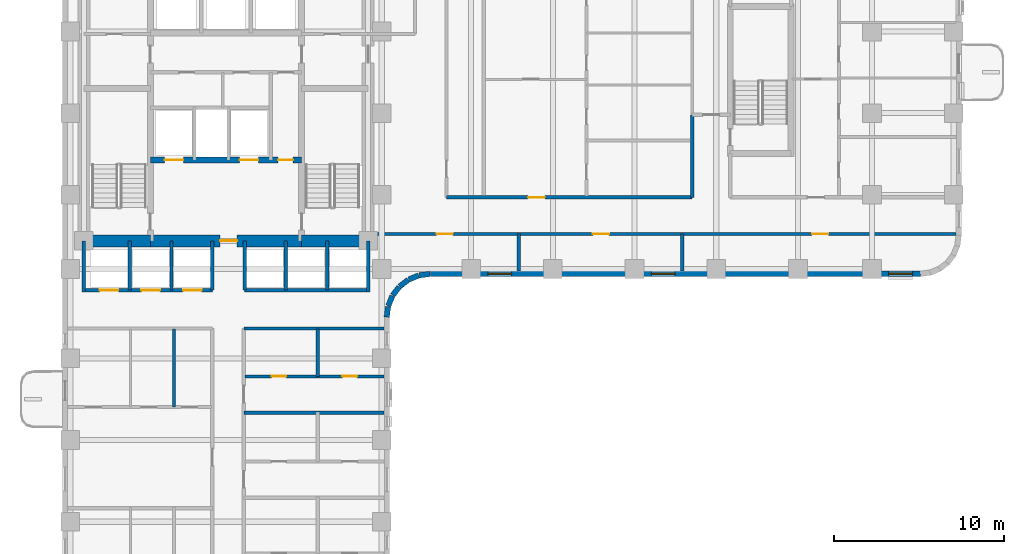
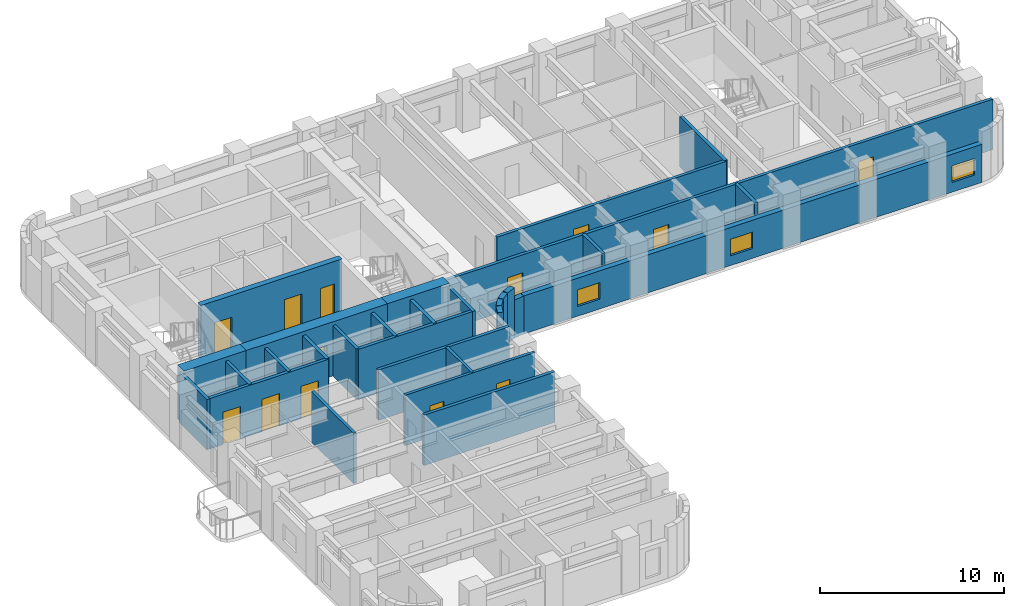
# One storey, part 4 of 11: 31 walls, 13 doors, 3 windows, 16 openings.
"""IFC4 building model written with IfcOpenShell, lengths in metres."""

from ifc_helpers import new_model, si_unit, direction, frame, frame_2d, origin, place, context, subcontext, project, spatial, rectangle, extrude, material, layer, layer_set, type_object, element, fill, save


model = new_model("IFC4")

# Units and contexts
model_context = context("Model", 3, precision=1e-05, world=origin(), true_north=direction((0.0, 1.0)))
body_context = subcontext(model_context, "Body", "Model", "MODEL_VIEW")
ifc_project = project(units=[si_unit("LENGTHUNIT", "METRE"), si_unit("AREAUNIT", "SQUARE_METRE"), si_unit("VOLUMEUNIT", "CUBIC_METRE"), si_unit("PLANEANGLEUNIT", "RADIAN"), si_unit("MASSUNIT", "GRAM", prefix="KILO")], contexts=[model_context])

# Site, building, storey
site_placement = place(None, origin())
site = spatial("IfcSite", under=ifc_project, at=site_placement, CompositionType="ELEMENT")
building_placement = place(site_placement, origin())
building = spatial("IfcBuilding", under=site, at=building_placement, Name="Orvandelia Arch Residences", CompositionType="ELEMENT")
storey_placement = place(building_placement, frame((0.0, 0.0, 64.60009765625)))
storey = spatial("IfcBuildingStorey", under=building, at=storey_placement, Name="L16", CompositionType="ELEMENT", Elevation=64.60009765625)

# Wall, openings, doors
ifc_material_1 = material(Name="Concrete C50/60", Category="concrete")
ifc_layer_1 = layer(ifc_material_1, 0.35009765625, Name="Concrete C50/60", Category="concrete")
ifc_layer_set_1 = layer_set([ifc_layer_1], Name="Concrete C50/60")
wall_type_1 = type_object("IfcWallType", Name="WL-CORE-350", PredefinedType="SHEAR", material=ifc_layer_set_1)
wall_1_placement = place(storey_placement, frame((9.9599609375, 35.64990234375, 0.0), z_axis=(0.0, 0.0, 1.0), x_axis=(1.0, 0.0, 0.0)))
wall_1 = element("IfcWall", 1, at=wall_1_placement, inside=storey, type_object=wall_type_1, Name="Core Shear Wall L16-HZ3", PredefinedType="SHEAR", context=body_context, shape_type="SweptSolid", body=[
    extrude(rectangle(XDim=8.880126953125, YDim=0.35009765625, at=frame_2d((4.43994140625, 0.0))), origin(), (0.0, 0.0, 1.0), 3.599853515625),
])
opening_1_placement = place(wall_1_placement, frame((0.840087890625, 0.0, 0.0)))
opening_1 = element("IfcOpeningElement", 2, at=opening_1_placement, cuts=wall_1, Name="Opening FLD", PredefinedType="OPENING", context=body_context, shape_type="SweptSolid", body=[
    extrude(rectangle(XDim=1.10009765625, YDim=2.14990234375, at=frame_2d((0.550048828125, 1.074951171875))), frame((0.0, 0.18505859375, 0.0), z_axis=(0.0, -1.0, 0.0), x_axis=(1.0, 0.0, 0.0)), (0.0, 0.0, 1.0), 0.3701171875),
])
opening_2_placement = place(wall_1_placement, frame((5.239990234375, 0.0, 0.0)))
opening_2 = element("IfcOpeningElement", 3, at=opening_2_placement, cuts=wall_1, Name="Opening FLD", PredefinedType="OPENING", context=body_context, shape_type="SweptSolid", body=[
    extrude(rectangle(XDim=1.10009765625, YDim=2.14990234375, at=frame_2d((0.550048828125, 1.074951171875))), frame((0.0, 0.18505859375, 0.0), z_axis=(0.0, -1.0, 0.0), x_axis=(1.0, 0.0, 0.0)), (0.0, 0.0, 1.0), 0.3701171875),
])
opening_3_placement = place(wall_1_placement, frame((7.5, 0.0, 0.0)))
opening_3 = element("IfcOpeningElement", 4, at=opening_3_placement, cuts=wall_1, Name="Opening D5", PredefinedType="OPENING", context=body_context, shape_type="SweptSolid", body=[
    extrude(rectangle(XDim=0.8798828125, YDim=2.10009765625, at=frame_2d((0.43994140625, 1.050048828125))), frame((0.0, 0.18505859375, 0.0), z_axis=(0.0, -1.0, 0.0), x_axis=(1.0, 0.0, 0.0)), (0.0, 0.0, 1.0), 0.3701171875),
])
ifc_material_2 = material(Name="Firefighting Lift Stainless Sliding Door")
door_type_1 = type_object("IfcDoorType", Name="DR-FLFT-1100", OperationType="NOTDEFINED", PredefinedType="DOOR", material=ifc_material_2)
door_1_placement = place(opening_1_placement, origin())
door_1 = element("IfcDoor", 5, at=door_1_placement, inside=storey, type_object=door_type_1, Name="Firefighting Lift Landing Door FLD-FL1-L16", OperationType="SLIDING_TO_LEFT", OverallHeight=2.14990234375, OverallWidth=1.10009765625, PredefinedType="DOOR", context=body_context, shape_type="SweptSolid", body=[
    extrude(rectangle(XDim=1.10009765625, YDim=2.14990234375, at=frame_2d((0.550048828125, 1.074951171875))), frame((0.0, 0.02490234375, 0.0), z_axis=(0.0, -1.0, 0.0), x_axis=(1.0, 0.0, 0.0)), (0.0, 0.0, 1.0), 0.050048828125),
])
fill(opening_1, door_1)
door_2_placement = place(opening_2_placement, origin())
door_2 = element("IfcDoor", 6, at=door_2_placement, inside=storey, type_object=door_type_1, Name="Firefighting Lift Landing Door FLD-FL2-L16", OperationType="SLIDING_TO_RIGHT", OverallHeight=2.14990234375, OverallWidth=1.10009765625, PredefinedType="DOOR", context=body_context, shape_type="SweptSolid", body=[
    extrude(rectangle(XDim=1.10009765625, YDim=2.14990234375, at=frame_2d((0.550048828125, 1.074951171875))), frame((0.0, 0.02490234375, 0.0), z_axis=(0.0, -1.0, 0.0), x_axis=(1.0, 0.0, 0.0)), (0.0, 0.0, 1.0), 0.050048828125),
])
fill(opening_2, door_2)
ifc_material_3 = material(Name="Painted Galvanised Steel Service Door", Category="steel")
door_type_2 = type_object("IfcDoorType", Name="DR-SRV-880", OperationType="NOTDEFINED", PredefinedType="DOOR", material=ifc_material_3)
door_3_placement = place(opening_3_placement, origin())
door_3 = element("IfcDoor", 7, at=door_3_placement, inside=storey, type_object=door_type_2, Name="Core Stairway Passage South Fire Door L16", OperationType="SINGLE_SWING_LEFT", OverallHeight=2.10009765625, OverallWidth=0.8798828125, PredefinedType="DOOR", context=body_context, shape_type="SweptSolid", body=[
    extrude(rectangle(XDim=0.8798828125, YDim=2.10009765625, at=frame_2d((0.43994140625, 1.050048828125))), frame((0.0, 0.02490234375, 0.0), z_axis=(0.0, -1.0, 0.0), x_axis=(1.0, 0.0, 0.0)), (0.0, 0.0, 1.0), 0.050048828125),
])
fill(opening_3, door_3)

# Wall
ifc_material_4 = material(Name="Concrete C80/95", Category="concrete")
ifc_layer_2 = layer(ifc_material_4, 0.699951171875, Name="Concrete C80/95", Category="concrete")
ifc_layer_set_2 = layer_set([ifc_layer_2], Name="Concrete C80/95")
wall_type_2 = type_object("IfcWallType", Name="WL-CORE-700", PredefinedType="SHEAR", material=ifc_layer_set_2)
wall_2_placement = place(storey_placement, frame((6.050048828125, 30.89990234375, 0.0), z_axis=(0.0, 0.0, 1.0), x_axis=(1.0, 0.0, 0.0)))
element("IfcWall", 8, at=wall_2_placement, inside=storey, type_object=wall_type_2, Name="Core Shear Wall L16-SW", PredefinedType="SHEAR", context=body_context, shape_type="SweptSolid", body=[
    extrude(rectangle(XDim=3.909912109375, YDim=0.699951171875, at=frame_2d((1.955078125, 0.0))), origin(), (0.0, 0.0, 1.0), 3.599853515625),
])

# Wall, opening, door
wall_3_placement = place(storey_placement, frame((9.9599609375, 30.89990234375, 0.0), z_axis=(0.0, 0.0, 1.0), x_axis=(1.0, 0.0, 0.0)))
wall_3 = element("IfcWall", 9, at=wall_3_placement, inside=storey, type_object=wall_type_2, Name="Core Shear Wall L16-SM", PredefinedType="SHEAR", context=body_context, shape_type="SweptSolid", body=[
    extrude(rectangle(XDim=8.880126953125, YDim=0.699951171875, at=frame_2d((4.43994140625, 0.0))), origin(), (0.0, 0.0, 1.0), 3.599853515625),
])
opening_4_placement = place(wall_3_placement, frame((4.090087890625, 0.0, 0.0)))
opening_4 = element("IfcOpeningElement", 10, at=opening_4_placement, cuts=wall_3, Name="Opening D6", PredefinedType="OPENING", context=body_context, shape_type="SweptSolid", body=[
    extrude(rectangle(XDim=1.0, YDim=2.14990234375, at=frame_2d((0.5, 1.074951171875))), frame((0.0, 0.35986328125, 0.0), z_axis=(0.0, -1.0, 0.0), x_axis=(1.0, 0.0, 0.0)), (0.0, 0.0, 1.0), 0.719970703125),
])
ifc_material_5 = material(Name="Smokeproof Painted Steel Fire Door", Category="steel")
door_type_3 = type_object("IfcDoorType", Name="DR-FD60-1000", OperationType="NOTDEFINED", PredefinedType="DOOR", material=ifc_material_5)
door_4_placement = place(opening_4_placement, origin())
door_4 = element("IfcDoor", 11, at=door_4_placement, inside=storey, type_object=door_type_3, Name="Firefighting Lobby Smokeproof Door L16", OperationType="SINGLE_SWING_LEFT", OverallHeight=2.14990234375, OverallWidth=1.0, PredefinedType="DOOR", context=body_context, shape_type="SweptSolid", body=[
    extrude(rectangle(XDim=1.0, YDim=2.14990234375, at=frame_2d((0.5, 1.074951171875))), frame((0.0, 0.02490234375, 0.0), z_axis=(0.0, -1.0, 0.0), x_axis=(1.0, 0.0, 0.0)), (0.0, 0.0, 1.0), 0.050048828125),
])
fill(opening_4, door_4)

# Walls
wall_4_placement = place(storey_placement, frame((18.840087890625, 30.89990234375, 0.0), z_axis=(0.0, 0.0, 1.0), x_axis=(1.0, 0.0, 0.0)))
element("IfcWall", 12, at=wall_4_placement, inside=storey, type_object=wall_type_2, Name="Core Shear Wall L16-SE", PredefinedType="SHEAR", context=body_context, shape_type="SweptSolid", body=[
    extrude(rectangle(XDim=3.909912109375, YDim=0.699951171875, at=frame_2d((1.955078125, 0.0))), origin(), (0.0, 0.0, 1.0), 3.599853515625),
])
ifc_material_6 = material(Name="Fire-Rated Corridor Partition")
ifc_layer_3 = layer(ifc_material_6, 0.199951171875, Name="Fire-Rated Corridor Partition")
ifc_layer_set_3 = layer_set([ifc_layer_3], Name="Fire-Rated Corridor Partition")
wall_type_3 = type_object("IfcWallType", Name="WL-CORR-200", PredefinedType="PARTITIONING", material=ifc_layer_set_3)
wall_5_placement = place(storey_placement, frame((15.449951171875, 25.75, 0.0), z_axis=(0.0, 0.0, 1.0), x_axis=(1.0, 0.0, 0.0)))
element("IfcWall", 13, at=wall_5_placement, inside=storey, type_object=wall_type_3, Name="Interior Partition Wall WL-L16-WCLS-E", PredefinedType="PARTITIONING", context=body_context, shape_type="SweptSolid", body=[
    extrude(rectangle(XDim=8.22998046875, YDim=0.199951171875, at=frame_2d((4.114990234375, 0.0))), origin(), (0.0, 0.0, 1.0), 3.349853515625),
])

# Wall, openings, doors
wall_6_placement = place(storey_placement, frame((22.75, 31.300048828125, 0.0), z_axis=(0.0, 0.0, 1.0), x_axis=(1.0, 0.0, 0.0)))
wall_6 = element("IfcWall", 14, at=wall_6_placement, inside=storey, type_object=wall_type_3, Name="Interior Partition Wall WL-L16-ES-S", PredefinedType="PARTITIONING", context=body_context, shape_type="SweptSolid", body=[
    extrude(rectangle(XDim=34.530029296875, YDim=0.199951171875, at=frame_2d((17.26513671875, 0.0))), origin(), (0.0, 0.0, 1.0), 3.349853515625),
])
opening_5_placement = place(wall_6_placement, frame((4.02490234375, 0.0, 0.0)))
opening_5 = element("IfcOpeningElement", 15, at=opening_5_placement, cuts=wall_6, Name="Opening D2", PredefinedType="OPENING", context=body_context, shape_type="SweptSolid", body=[
    extrude(rectangle(XDim=0.949951171875, YDim=2.14990234375, at=frame_2d((0.47509765625, 1.074951171875))), frame((0.0, 0.10986328125, 0.0), z_axis=(0.0, -1.0, 0.0), x_axis=(1.0, 0.0, 0.0)), (0.0, 0.0, 1.0), 0.219970703125),
])
opening_6_placement = place(wall_6_placement, frame((13.199951171875, 0.0, 0.0)))
opening_6 = element("IfcOpeningElement", 16, at=opening_6_placement, cuts=wall_6, Name="Opening D2", PredefinedType="OPENING", context=body_context, shape_type="SweptSolid", body=[
    extrude(rectangle(XDim=0.949951171875, YDim=2.14990234375, at=frame_2d((0.47509765625, 1.074951171875))), frame((0.0, 0.10986328125, 0.0), z_axis=(0.0, -1.0, 0.0), x_axis=(1.0, 0.0, 0.0)), (0.0, 0.0, 1.0), 0.219970703125),
])
opening_7_placement = place(wall_6_placement, frame((26.080078125, 0.0, 0.0)))
opening_7 = element("IfcOpeningElement", 17, at=opening_7_placement, cuts=wall_6, Name="Opening D2", PredefinedType="OPENING", context=body_context, shape_type="SweptSolid", body=[
    extrude(rectangle(XDim=0.949951171875, YDim=2.14990234375, at=frame_2d((0.47509765625, 1.074951171875))), frame((0.0, 0.10986328125, 0.0), z_axis=(0.0, -1.0, 0.0), x_axis=(1.0, 0.0, 0.0)), (0.0, 0.0, 1.0), 0.219970703125),
])
ifc_material_7 = material(Name="Solid-Core Timber Interior Fire Door", Category="wood")
door_type_4 = type_object("IfcDoorType", Name="DR-APT-950", OperationType="NOTDEFINED", PredefinedType="DOOR", material=ifc_material_7)
door_5_placement = place(opening_5_placement, origin())
door_5 = element("IfcDoor", 18, at=door_5_placement, inside=storey, type_object=door_type_4, Name="DR-L16-ESS-1", OperationType="SINGLE_SWING_LEFT", OverallHeight=2.14990234375, OverallWidth=0.949951171875, PredefinedType="DOOR", context=body_context, shape_type="SweptSolid", body=[
    extrude(rectangle(XDim=0.949951171875, YDim=2.14990234375, at=frame_2d((0.47509765625, 1.074951171875))), frame((0.0, 0.02490234375, 0.0), z_axis=(0.0, -1.0, 0.0), x_axis=(1.0, 0.0, 0.0)), (0.0, 0.0, 1.0), 0.050048828125),
])
fill(opening_5, door_5)
door_6_placement = place(opening_6_placement, origin())
door_6 = element("IfcDoor", 19, at=door_6_placement, inside=storey, type_object=door_type_4, Name="DR-L16-ESS-2", OperationType="SINGLE_SWING_RIGHT", OverallHeight=2.14990234375, OverallWidth=0.949951171875, PredefinedType="DOOR", context=body_context, shape_type="SweptSolid", body=[
    extrude(rectangle(XDim=0.949951171875, YDim=2.14990234375, at=frame_2d((0.47509765625, 1.074951171875))), frame((0.0, 0.02490234375, 0.0), z_axis=(0.0, -1.0, 0.0), x_axis=(1.0, 0.0, 0.0)), (0.0, 0.0, 1.0), 0.050048828125),
])
fill(opening_6, door_6)
door_7_placement = place(opening_7_placement, origin())
door_7 = element("IfcDoor", 20, at=door_7_placement, inside=storey, type_object=door_type_4, Name="DR-L16-ESS-3", OperationType="SINGLE_SWING_LEFT", OverallHeight=2.14990234375, OverallWidth=0.949951171875, PredefinedType="DOOR", context=body_context, shape_type="SweptSolid", body=[
    extrude(rectangle(XDim=0.949951171875, YDim=2.14990234375, at=frame_2d((0.47509765625, 1.074951171875))), frame((0.0, 0.02490234375, 0.0), z_axis=(0.0, -1.0, 0.0), x_axis=(1.0, 0.0, 0.0)), (0.0, 0.0, 1.0), 0.050048828125),
])
fill(opening_7, door_7)

# Wall, opening, door
wall_7_placement = place(storey_placement, frame((27.35009765625, 33.449951171875, 0.0), z_axis=(0.0, 0.0, 1.0), x_axis=(1.0, 0.0, 0.0)))
wall_7 = element("IfcWall", 21, at=wall_7_placement, inside=storey, type_object=wall_type_3, Name="Interior Partition Wall WL-L16-ES-N1", PredefinedType="PARTITIONING", context=body_context, shape_type="SweptSolid", body=[
    extrude(rectangle(XDim=14.429931640625, YDim=0.199951171875, at=frame_2d((7.21484375, 0.0))), origin(), (0.0, 0.0, 1.0), 3.349853515625),
])
opening_8_placement = place(wall_7_placement, frame((4.803466796875, 0.0, 0.0)))
opening_8 = element("IfcOpeningElement", 22, at=opening_8_placement, cuts=wall_7, Name="Opening D1", PredefinedType="OPENING", context=body_context, shape_type="SweptSolid", body=[
    extrude(rectangle(XDim=0.97998046875, YDim=2.179931640625, at=frame_2d((0.489990234375, 1.08984375))), frame((0.0, 0.10986328125, 0.0), z_axis=(0.0, -1.0, 0.0), x_axis=(1.0, 0.0, 0.0)), (0.0, 0.0, 1.0), 0.219970703125),
])
ifc_material_8 = material(Name="Solid-Core Timber Acoustic Fire Door", Category="wood")
door_type_5 = type_object("IfcDoorType", Name="DR-ENT-980", OperationType="NOTDEFINED", PredefinedType="DOOR", material=ifc_material_8)
door_8_placement = place(opening_8_placement, origin())
door_8 = element("IfcDoor", 23, at=door_8_placement, inside=storey, type_object=door_type_5, Name="Unit L16-07 Entrance Door", OperationType="SINGLE_SWING_LEFT", OverallHeight=2.179931640625, OverallWidth=0.97998046875, PredefinedType="DOOR", context=body_context, shape_type="SweptSolid", body=[
    extrude(rectangle(XDim=0.97998046875, YDim=2.179931640625, at=frame_2d((0.489990234375, 1.08984375))), frame((0.0, 0.02490234375, 0.0), z_axis=(0.0, -1.0, 0.0), x_axis=(1.0, 0.0, 0.0)), (0.0, 0.0, 1.0), 0.050048828125),
])
fill(opening_8, door_8)

# Walls
wall_8_placement = place(storey_placement, frame((41.780029296875, 33.449951171875, 0.0), z_axis=(0.0, 0.0, 1.0), x_axis=(0.0, 1.0, 0.0)))
element("IfcWall", 24, at=wall_8_placement, inside=storey, type_object=wall_type_3, Name="Interior Partition Wall WL-L16-ES-SW", PredefinedType="PARTITIONING", context=body_context, shape_type="SweptSolid", body=[
    extrude(rectangle(XDim=4.85009765625, YDim=0.199951171875, at=frame_2d((2.425048828125, 0.0))), origin(), (0.0, 0.0, 1.0), 3.349853515625),
])
ifc_material_9 = material(Name="Concrete C40/50", Category="concrete")
ifc_layer_4 = layer(ifc_material_9, 0.199951171875, Name="Concrete C40/50", Category="concrete")
ifc_layer_set_4 = layer_set([ifc_layer_4], Name="Concrete C40/50")
wall_type_4 = type_object("IfcWallType", Name="WL-DEM-200", PredefinedType="SOLIDWALL", material=ifc_layer_set_4)
wall_9_placement = place(storey_placement, frame((15.449951171875, 20.800048828125, 0.0), z_axis=(0.0, 0.0, 1.0), x_axis=(1.0, 0.0, 0.0)))
element("IfcWall", 25, at=wall_9_placement, inside=storey, type_object=wall_type_4, Name="Interior Partition Wall WL-L16-DEM-WR-208", PredefinedType="SOLIDWALL", context=body_context, shape_type="SweptSolid", body=[
    extrude(rectangle(XDim=8.22998046875, YDim=0.199951171875, at=frame_2d((4.114990234375, 0.0))), origin(), (0.0, 0.0, 1.0), 3.349853515625),
])
for number, where, z_axis, x_axis, name in (
    (26, (31.60009765625, 29.1201171875, 0.0), (0.0, 0.0, 1.0), (0.0, 1.0, 0.0), "Interior Partition Wall WL-L16-ESSD-1"),
    (27, (41.199951171875, 29.1201171875, 0.0), (0.0, 0.0, 1.0), (0.0, 1.0, 0.0), "Interior Partition Wall WL-L16-ESSD-2"),
):
    element("IfcWall", number, at=place(storey_placement, frame(where, z_axis=z_axis, x_axis=x_axis)), inside=storey, type_object=wall_type_4, Name=name, PredefinedType="SOLIDWALL", context=body_context, shape_type="SweptSolid", body=[
        extrude(rectangle(XDim=2.179931640625, YDim=0.199951171875, at=frame_2d((1.08984375, 0.0))), origin(), (0.0, 0.0, 1.0), 3.349853515625),
    ])

# Wall, openings, windows
ifc_material_10 = material(Name="Precast concrete C40/50", Category="concrete")
ifc_layer_5 = layer(ifc_material_10, 0.320068359375, Name="Precast concrete C40/50", Category="concrete")
ifc_layer_set_5 = layer_set([ifc_layer_5], Name="Precast concrete C40/50")
wall_type_5 = type_object("IfcWallType", Name="WL-EXT-STONE-320", PredefinedType="STANDARD", material=ifc_layer_set_5)
wall_10_placement = place(storey_placement, frame((55.199951171875, 28.9599609375, 0.0), z_axis=(0.0, 0.0, 1.0), x_axis=(-1.0, 0.0, 0.0)))
wall_10 = element("IfcWall", 28, at=wall_10_placement, inside=storey, type_object=wall_type_5, Name="Coral-Limestone Precast Facade Wall L16-021", PredefinedType="STANDARD", context=body_context, shape_type="SweptSolid", body=[
    extrude(rectangle(XDim=28.800048828125, YDim=0.320068359375, at=frame_2d((14.39990234375, 0.0))), origin(), (0.0, 0.0, 1.0), 2.52978515625),
])
opening_9_placement = place(wall_10_placement, frame((24.014892578125, 0.0, 0.64990234375)))
opening_9 = element("IfcOpeningElement", 29, at=opening_9_placement, cuts=wall_10, Name="Opening W10", PredefinedType="OPENING", context=body_context, shape_type="SweptSolid", body=[
    extrude(rectangle(XDim=1.39990234375, YDim=1.10009765625, at=frame_2d((0.699951171875, 0.550048828125))), frame((0.0, 0.169921875, 0.0), z_axis=(0.0, -1.0, 0.0), x_axis=(1.0, 0.0, 0.0)), (0.0, 0.0, 1.0), 0.340087890625),
])
opening_10_placement = place(wall_10_placement, frame((14.4150390625, 0.0, 0.64990234375)))
opening_10 = element("IfcOpeningElement", 30, at=opening_10_placement, cuts=wall_10, Name="Opening W10", PredefinedType="OPENING", context=body_context, shape_type="SweptSolid", body=[
    extrude(rectangle(XDim=1.39990234375, YDim=1.10009765625, at=frame_2d((0.699951171875, 0.550048828125))), frame((0.0, 0.169921875, 0.0), z_axis=(0.0, -1.0, 0.0), x_axis=(1.0, 0.0, 0.0)), (0.0, 0.0, 1.0), 0.340087890625),
])
opening_11_placement = place(wall_10_placement, frame((0.469970703125, 0.0, 0.64990234375)))
opening_11 = element("IfcOpeningElement", 31, at=opening_11_placement, cuts=wall_10, Name="Opening W10", PredefinedType="OPENING", context=body_context, shape_type="SweptSolid", body=[
    extrude(rectangle(XDim=1.39990234375, YDim=1.10009765625, at=frame_2d((0.699951171875, 0.550048828125))), frame((0.0, 0.169921875, 0.0), z_axis=(0.0, -1.0, 0.0), x_axis=(1.0, 0.0, 0.0)), (0.0, 0.0, 1.0), 0.340087890625),
])
ifc_material_11 = material(Name="Tempered Low-E Insulated Glazing", Category="glass")
window_type = type_object("IfcWindowType", Name="WIN-CLR-1400x1100", PartitioningType="SINGLE_PANEL", PredefinedType="WINDOW", material=ifc_material_11)
window_1_placement = place(opening_9_placement, origin())
window_1 = element("IfcWindow", 32, at=window_1_placement, inside=storey, type_object=window_type, Name="Recessed Punched Window L16-013", OverallHeight=1.10009765625, OverallWidth=1.39990234375, PartitioningType="SINGLE_PANEL", PredefinedType="WINDOW", context=body_context, shape_type="SweptSolid", body=[
    extrude(rectangle(XDim=1.39990234375, YDim=1.10009765625, at=frame_2d((0.699951171875, 0.550048828125))), frame((0.0, 0.030029296875, 0.0), z_axis=(0.0, -1.0, 0.0), x_axis=(1.0, 0.0, 0.0)), (0.0, 0.0, 1.0), 0.06005859375),
])
fill(opening_9, window_1)
window_2_placement = place(opening_10_placement, origin())
window_2 = element("IfcWindow", 33, at=window_2_placement, inside=storey, type_object=window_type, Name="Recessed Punched Window L16-014", OverallHeight=1.10009765625, OverallWidth=1.39990234375, PartitioningType="SINGLE_PANEL", PredefinedType="WINDOW", context=body_context, shape_type="SweptSolid", body=[
    extrude(rectangle(XDim=1.39990234375, YDim=1.10009765625, at=frame_2d((0.699951171875, 0.550048828125))), frame((0.0, 0.030029296875, 0.0), z_axis=(0.0, -1.0, 0.0), x_axis=(1.0, 0.0, 0.0)), (0.0, 0.0, 1.0), 0.06005859375),
])
fill(opening_10, window_2)
window_3_placement = place(opening_11_placement, origin())
window_3 = element("IfcWindow", 34, at=window_3_placement, inside=storey, type_object=window_type, Name="Recessed Punched Window L16-015", OverallHeight=1.10009765625, OverallWidth=1.39990234375, PartitioningType="SINGLE_PANEL", PredefinedType="WINDOW", context=body_context, shape_type="SweptSolid", body=[
    extrude(rectangle(XDim=1.39990234375, YDim=1.10009765625, at=frame_2d((0.699951171875, 0.550048828125))), frame((0.0, 0.030029296875, 0.0), z_axis=(0.0, -1.0, 0.0), x_axis=(1.0, 0.0, 0.0)), (0.0, 0.0, 1.0), 0.06005859375),
])
fill(opening_11, window_3)

# Walls
wall_11_placement = place(storey_placement, frame((26.379150390625, 28.95849609375, 0.0), z_axis=(0.0, 0.0, 1.0), x_axis=(-0.991447664465, -0.130504898859, 0.0)))
element("IfcWall", 35, at=wall_11_placement, inside=storey, type_object=wall_type_5, Name="Coral-Limestone Precast Facade Wall L16-022", PredefinedType="STANDARD", context=body_context, shape_type="SweptSolid", body=[
    extrude(rectangle(XDim=0.626708984375, YDim=0.320068359375, at=frame_2d((0.3134765625, 0.0))), origin(), (0.0, 0.0, 1.0), 2.52978515625),
])
wall_12_placement = place(storey_placement, frame((25.717529296875, 28.865966796875, 0.0), z_axis=(0.0, 0.0, 1.0), x_axis=(-0.923836271867, -0.382787856107, 0.0)))
element("IfcWall", 36, at=wall_12_placement, inside=storey, type_object=wall_type_5, Name="Coral-Limestone Precast Facade Wall L16-023", PredefinedType="STANDARD", context=body_context, shape_type="SweptSolid", body=[
    extrude(rectangle(XDim=0.626220703125, YDim=0.320068359375, at=frame_2d((0.31298828125, 0.0))), origin(), (0.0, 0.0, 1.0), 3.349853515625),
])
for number, where, z_axis, x_axis, name in (
    (37, (25.1025390625, 28.60546875, 0.0), (0.0, 0.0, 1.0), (-0.793405610854, -0.608693302629, 0.0), "Coral-Limestone Precast Facade Wall L16-024"),
    (38, (24.575927734375, 28.194580078125, 0.0), (0.0, 0.0, 1.0), (-0.608693302629, -0.793405610854, 0.0), "Coral-Limestone Precast Facade Wall L16-025"),
):
    element("IfcWall", number, at=place(storey_placement, frame(where, z_axis=z_axis, x_axis=x_axis)), inside=storey, type_object=wall_type_5, Name=name, PredefinedType="STANDARD", context=body_context, shape_type="SweptSolid", body=[
        extrude(rectangle(XDim=0.62646484375, YDim=0.320068359375, at=frame_2d((0.313232421875, 0.0))), origin(), (0.0, 0.0, 1.0), 3.349853515625),
    ])
wall_13_placement = place(storey_placement, frame((24.173583984375, 27.6611328125, 0.0), z_axis=(0.0, 0.0, 1.0), x_axis=(-0.382455093999, -0.923974080304, 0.0)))
element("IfcWall", 39, at=wall_13_placement, inside=storey, type_object=wall_type_5, Name="Coral-Limestone Precast Facade Wall L16-026", PredefinedType="STANDARD", context=body_context, shape_type="SweptSolid", body=[
    extrude(rectangle(XDim=0.626220703125, YDim=0.320068359375, at=frame_2d((0.31298828125, 0.0))), origin(), (0.0, 0.0, 1.0), 3.349853515625),
])
wall_14_placement = place(storey_placement, frame((23.923095703125, 27.0419921875, 0.0), z_axis=(0.0, 0.0, 1.0), x_axis=(-0.130555323746, -0.9914410257, 0.0)))
element("IfcWall", 40, at=wall_14_placement, inside=storey, type_object=wall_type_5, Name="Coral-Limestone Precast Facade Wall L16-027", PredefinedType="STANDARD", context=body_context, shape_type="SweptSolid", body=[
    extrude(rectangle(XDim=0.62646484375, YDim=0.320068359375, at=frame_2d((0.313232421875, 0.0))), origin(), (0.0, 0.0, 1.0), 2.52978515625),
])

# Wall, openings, doors
ifc_material_12 = material(Name="Fire-Rated Shaft Enclosure Wall")
ifc_layer_6 = layer(ifc_material_12, 0.199951171875, Name="Fire-Rated Shaft Enclosure Wall")
ifc_layer_set_6 = layer_set([ifc_layer_6], Name="Fire-Rated Shaft Enclosure Wall")
wall_type_6 = type_object("IfcWallType", Name="WL-SHAFT-200", PredefinedType="POLYGONAL", material=ifc_layer_set_6)
wall_15_placement = place(storey_placement, frame((6.050048828125, 28.0, 0.0), z_axis=(0.0, 0.0, 1.0), x_axis=(1.0, 0.0, 0.0)))
wall_15 = element("IfcWall", 41, at=wall_15_placement, inside=storey, type_object=wall_type_6, Name="Interior Partition Wall WL-L16-BNKL-S", PredefinedType="POLYGONAL", context=body_context, shape_type="SweptSolid", body=[
    extrude(rectangle(XDim=7.550048828125, YDim=0.199951171875, at=frame_2d((3.77490234375, 0.0))), origin(), (0.0, 0.0, 1.0), 3.349853515625),
])
opening_12_placement = place(wall_15_placement, frame((0.925048828125, 0.0, 0.0)))
opening_12 = element("IfcOpeningElement", 42, at=opening_12_placement, cuts=wall_15, Name="Opening LD", PredefinedType="OPENING", context=body_context, shape_type="SweptSolid", body=[
    extrude(rectangle(XDim=1.10009765625, YDim=2.14990234375, at=frame_2d((0.550048828125, 1.074951171875))), frame((0.0, 0.10986328125, 0.0), z_axis=(0.0, -1.0, 0.0), x_axis=(1.0, 0.0, 0.0)), (0.0, 0.0, 1.0), 0.219970703125),
])
opening_13_placement = place(wall_15_placement, frame((3.375, 0.0, 0.0)))
opening_13 = element("IfcOpeningElement", 43, at=opening_13_placement, cuts=wall_15, Name="Opening LD", PredefinedType="OPENING", context=body_context, shape_type="SweptSolid", body=[
    extrude(rectangle(XDim=1.10009765625, YDim=2.14990234375, at=frame_2d((0.550048828125, 1.074951171875))), frame((0.0, 0.10986328125, 0.0), z_axis=(0.0, -1.0, 0.0), x_axis=(1.0, 0.0, 0.0)), (0.0, 0.0, 1.0), 0.219970703125),
])
opening_14_placement = place(wall_15_placement, frame((5.824951171875, 0.0, 0.0)))
opening_14 = element("IfcOpeningElement", 44, at=opening_14_placement, cuts=wall_15, Name="Opening LD", PredefinedType="OPENING", context=body_context, shape_type="SweptSolid", body=[
    extrude(rectangle(XDim=1.10009765625, YDim=2.14990234375, at=frame_2d((0.550048828125, 1.074951171875))), frame((0.0, 0.10986328125, 0.0), z_axis=(0.0, -1.0, 0.0), x_axis=(1.0, 0.0, 0.0)), (0.0, 0.0, 1.0), 0.219970703125),
])
ifc_material_13 = material(Name="Brushed Stainless Steel Sliding Lift Door", Category="steel")
door_type_6 = type_object("IfcDoorType", Name="DR-LIFT-1100", OperationType="NOTDEFINED", PredefinedType="DOOR", material=ifc_material_13)
door_9_placement = place(opening_12_placement, origin())
door_9 = element("IfcDoor", 45, at=door_9_placement, inside=storey, type_object=door_type_6, Name="Lift Landing Door LD-PL1", OperationType="SLIDING_TO_LEFT", OverallHeight=2.14990234375, OverallWidth=1.10009765625, PredefinedType="DOOR", context=body_context, shape_type="SweptSolid", body=[
    extrude(rectangle(XDim=1.10009765625, YDim=2.14990234375, at=frame_2d((0.550048828125, 1.074951171875))), frame((0.0, 0.02490234375, 0.0), z_axis=(0.0, -1.0, 0.0), x_axis=(1.0, 0.0, 0.0)), (0.0, 0.0, 1.0), 0.050048828125),
])
fill(opening_12, door_9)
door_10_placement = place(opening_13_placement, origin())
door_10 = element("IfcDoor", 46, at=door_10_placement, inside=storey, type_object=door_type_6, Name="Lift Landing Door LD-PL2", OperationType="SLIDING_TO_RIGHT", OverallHeight=2.14990234375, OverallWidth=1.10009765625, PredefinedType="DOOR", context=body_context, shape_type="SweptSolid", body=[
    extrude(rectangle(XDim=1.10009765625, YDim=2.14990234375, at=frame_2d((0.550048828125, 1.074951171875))), frame((0.0, 0.02490234375, 0.0), z_axis=(0.0, -1.0, 0.0), x_axis=(1.0, 0.0, 0.0)), (0.0, 0.0, 1.0), 0.050048828125),
])
fill(opening_13, door_10)
door_11_placement = place(opening_14_placement, origin())
door_11 = element("IfcDoor", 47, at=door_11_placement, inside=storey, type_object=door_type_6, Name="Lift Landing Door LD-PL3", OperationType="SLIDING_TO_LEFT", OverallHeight=2.14990234375, OverallWidth=1.10009765625, PredefinedType="DOOR", context=body_context, shape_type="SweptSolid", body=[
    extrude(rectangle(XDim=1.10009765625, YDim=2.14990234375, at=frame_2d((0.550048828125, 1.074951171875))), frame((0.0, 0.02490234375, 0.0), z_axis=(0.0, -1.0, 0.0), x_axis=(1.0, 0.0, 0.0)), (0.0, 0.0, 1.0), 0.050048828125),
])
fill(opening_14, door_11)

# Walls
wall_16_placement = place(storey_placement, frame((15.5, 28.0, 0.0), z_axis=(0.0, 0.0, 1.0), x_axis=(1.0, 0.0, 0.0)))
element("IfcWall", 48, at=wall_16_placement, inside=storey, type_object=wall_type_6, Name="Interior Partition Wall WL-L16-BNKM-S", PredefinedType="POLYGONAL", context=body_context, shape_type="SweptSolid", body=[
    extrude(rectangle(XDim=7.25, YDim=0.199951171875, at=frame_2d((3.625, 0.0))), origin(), (0.0, 0.0, 1.0), 3.349853515625),
])
for number, where, z_axis, x_axis, name in (
    (49, (6.050048828125, 27.89990234375, 0.0), (0.0, 0.0, 1.0), (0.0, 1.0, 0.0), "Interior Partition Wall WL-L16-BNKL-W"),
    (50, (22.75, 27.89990234375, 0.0), (0.0, 0.0, 1.0), (0.0, 1.0, 0.0), "Interior Partition Wall WL-L16-BNKM-E"),
):
    element("IfcWall", number, at=place(storey_placement, frame(where, z_axis=z_axis, x_axis=x_axis)), inside=storey, type_object=wall_type_6, Name=name, PredefinedType="POLYGONAL", context=body_context, shape_type="SweptSolid", body=[
        extrude(rectangle(XDim=3.0, YDim=0.199951171875, at=frame_2d((1.5, 0.0))), origin(), (0.0, 0.0, 1.0), 3.349853515625),
    ])
for number, where, z_axis, x_axis, name in (
    (51, (13.60009765625, 28.0, 0.0), (0.0, 0.0, 1.0), (0.0, 1.0, 0.0), "Interior Partition Wall WL-L16-BNKL-E"),
    (52, (15.5, 28.0, 0.0), (0.0, 0.0, 1.0), (0.0, 1.0, 0.0), "Interior Partition Wall WL-L16-BNKM-W"),
    (53, (8.75, 28.0, 0.0), (0.0, 0.0, 1.0), (0.0, 1.0, 0.0), "Interior Partition Wall WL-L16-BNKD-875"),
    (54, (11.199951171875, 28.0, 0.0), (0.0, 0.0, 1.0), (0.0, 1.0, 0.0), "Interior Partition Wall WL-L16-BNKD-1120"),
    (55, (17.89990234375, 28.0, 0.0), (0.0, 0.0, 1.0), (0.0, 1.0, 0.0), "Interior Partition Wall WL-L16-BNKD-1789"),
    (56, (20.35009765625, 28.0, 0.0), (0.0, 0.0, 1.0), (0.0, 1.0, 0.0), "Interior Partition Wall WL-L16-BNKD-2035"),
):
    element("IfcWall", number, at=place(storey_placement, frame(where, z_axis=z_axis, x_axis=x_axis)), inside=storey, type_object=wall_type_6, Name=name, PredefinedType="POLYGONAL", context=body_context, shape_type="SweptSolid", body=[
        extrude(rectangle(XDim=2.89990234375, YDim=0.199951171875, at=frame_2d((1.449951171875, 0.0))), origin(), (0.0, 0.0, 1.0), 3.349853515625),
    ])
ifc_material_14 = material(Name="Moisture-Resistant Plumbing Wall")
ifc_layer_7 = layer(ifc_material_14, 0.179931640625, Name="Moisture-Resistant Plumbing Wall")
ifc_layer_set_7 = layer_set([ifc_layer_7], Name="Moisture-Resistant Plumbing Wall")
wall_type_7 = type_object("IfcWallType", Name="WL-WET-180", PredefinedType="PLUMBINGWALL", material=ifc_layer_set_7)
wall_17_placement = place(storey_placement, frame((11.35498046875, 21.132080078125, 0.0), z_axis=(0.0, 0.0, 1.0), x_axis=(0.0, 1.0, 0.0)))
element("IfcWall", 57, at=wall_17_placement, inside=storey, type_object=wall_type_7, Name="Interior Partition Wall WL-L16-U02-V2", PredefinedType="PLUMBINGWALL", context=body_context, shape_type="SweptSolid", body=[
    extrude(rectangle(XDim=4.587890625, YDim=0.179931640625, at=frame_2d((2.2939453125, 0.0))), origin(), (0.0, 0.0, 1.0), 3.349853515625),
])

# Wall, openings, doors
wall_18_placement = place(storey_placement, frame((15.510009765625, 22.93994140625, 0.0), z_axis=(0.0, 0.0, 1.0), x_axis=(1.0, 0.0, 0.0)))
wall_18 = element("IfcWall", 58, at=wall_18_placement, inside=storey, type_object=wall_type_7, Name="Interior Partition Wall WL-L16-U06-HZ", PredefinedType="PLUMBINGWALL", context=body_context, shape_type="SweptSolid", body=[
    extrude(rectangle(XDim=8.169921875, YDim=0.179931640625, at=frame_2d((4.0849609375, 0.0))), origin(), (0.0, 0.0, 1.0), 3.349853515625),
])
opening_15_placement = place(wall_18_placement, frame((1.56494140625, 0.0, 0.0)))
opening_15 = element("IfcOpeningElement", 59, at=opening_15_placement, cuts=wall_18, Name="Opening D4", PredefinedType="OPENING", context=body_context, shape_type="SweptSolid", body=[
    extrude(rectangle(XDim=0.860107421875, YDim=2.10009765625, at=frame_2d((0.43017578125, 1.050048828125))), frame((0.0, 0.10009765625, 0.0), z_axis=(0.0, -1.0, 0.0), x_axis=(1.0, 0.0, 0.0)), (0.0, 0.0, 1.0), 0.199951171875),
])
opening_16_placement = place(wall_18_placement, frame((5.72998046875, 0.0, 0.0)))
opening_16 = element("IfcOpeningElement", 60, at=opening_16_placement, cuts=wall_18, Name="Opening D4", PredefinedType="OPENING", context=body_context, shape_type="SweptSolid", body=[
    extrude(rectangle(XDim=0.860107421875, YDim=2.10009765625, at=frame_2d((0.43017578125, 1.050048828125))), frame((0.0, 0.10009765625, 0.0), z_axis=(0.0, -1.0, 0.0), x_axis=(1.0, 0.0, 0.0)), (0.0, 0.0, 1.0), 0.199951171875),
])
ifc_material_15 = material(Name="Moisture-Sealed Timber Bathroom Door", Category="wood")
door_type_7 = type_object("IfcDoorType", Name="DR-WET-900", OperationType="NOTDEFINED", PredefinedType="DOOR", material=ifc_material_15)
door_12_placement = place(opening_15_placement, origin())
door_12 = element("IfcDoor", 61, at=door_12_placement, inside=storey, type_object=door_type_7, Name="DR-L16-U06-KIT", OperationType="SINGLE_SWING_RIGHT", OverallHeight=2.10009765625, OverallWidth=0.860107421875, PredefinedType="DOOR", context=body_context, shape_type="SweptSolid", body=[
    extrude(rectangle(XDim=0.860107421875, YDim=2.10009765625, at=frame_2d((0.43017578125, 1.050048828125))), frame((0.0, 0.02490234375, 0.0), z_axis=(0.0, -1.0, 0.0), x_axis=(1.0, 0.0, 0.0)), (0.0, 0.0, 1.0), 0.050048828125),
])
fill(opening_15, door_12)
door_13_placement = place(opening_16_placement, origin())
door_13 = element("IfcDoor", 62, at=door_13_placement, inside=storey, type_object=door_type_7, Name="DR-L16-U06-BTH", OperationType="SINGLE_SWING_LEFT", OverallHeight=2.10009765625, OverallWidth=0.860107421875, PredefinedType="DOOR", context=body_context, shape_type="SweptSolid", body=[
    extrude(rectangle(XDim=0.860107421875, YDim=2.10009765625, at=frame_2d((0.43017578125, 1.050048828125))), frame((0.0, 0.02490234375, 0.0), z_axis=(0.0, -1.0, 0.0), x_axis=(1.0, 0.0, 0.0)), (0.0, 0.0, 1.0), 0.050048828125),
])
fill(opening_16, door_13)

# Wall
wall_19_placement = place(storey_placement, frame((19.7900390625, 22.93994140625, 0.0), z_axis=(0.0, 0.0, 1.0), x_axis=(0.0, 1.0, 0.0)))
element("IfcWall", 63, at=wall_19_placement, inside=storey, type_object=wall_type_7, Name="Interior Partition Wall WL-L16-U06-V1", PredefinedType="PLUMBINGWALL", context=body_context, shape_type="SweptSolid", body=[
    extrude(rectangle(XDim=2.780029296875, YDim=0.179931640625, at=frame_2d((1.39013671875, 0.0))), origin(), (0.0, 0.0, 1.0), 3.349853515625),
])

save(model, "model.ifc")
